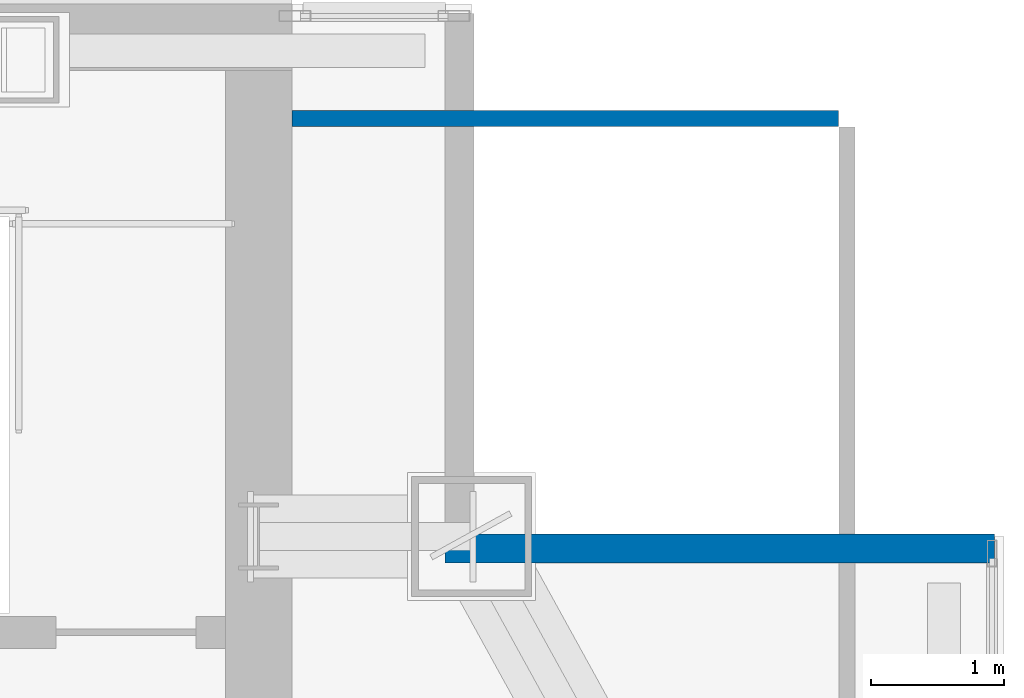
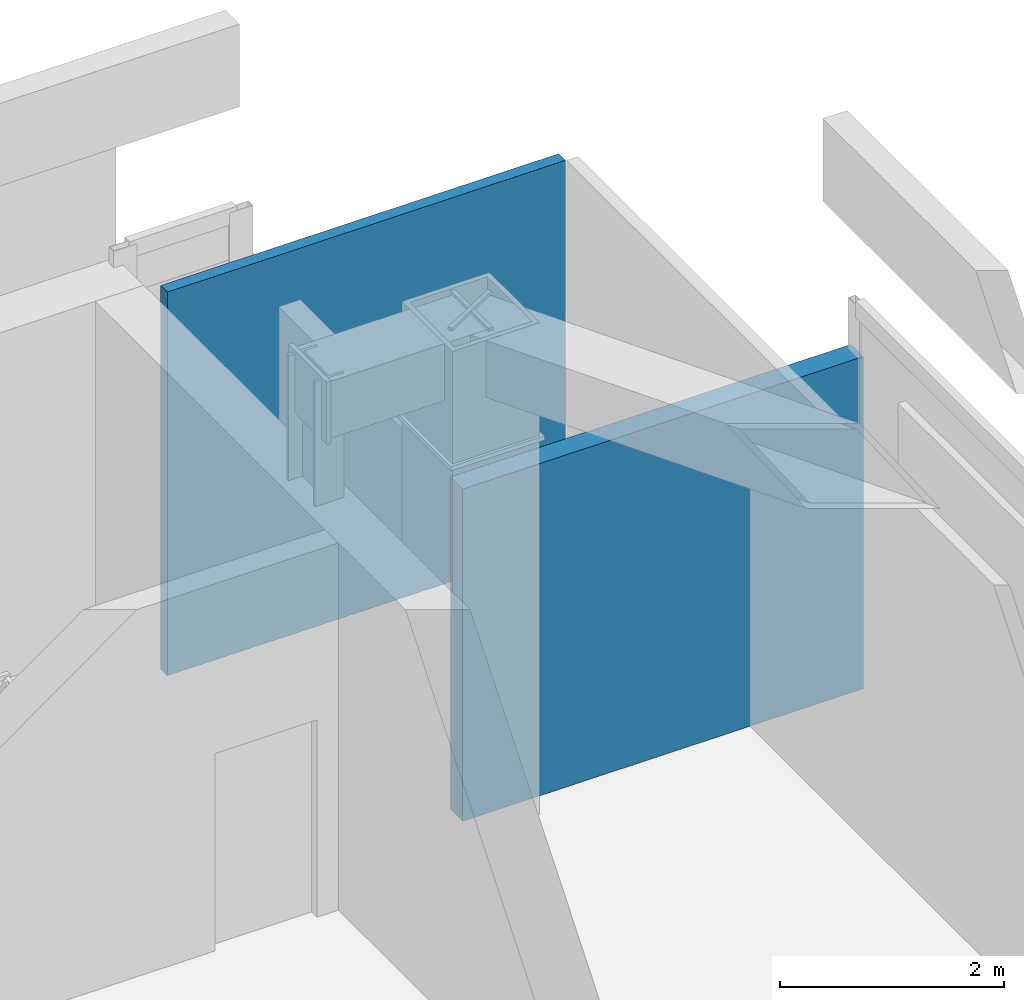
# One storey, part 23 of 24: 2 walls.
"""IFC4 building model written with IfcOpenShell, lengths in metres."""

from ifc_helpers import new_model, si_unit, direction, frame, frame_2d, origin, place, context, subcontext, project, spatial, rectangle, extrude, material, layer, layer_set, type_object, element, save


model = new_model("IFC4")

# Units and contexts
model_context = context("Model", 3, precision=1e-05, world=origin(), true_north=direction((0.0, 1.0)))
body_context = subcontext(model_context, "Body", "Model", "MODEL_VIEW")
ifc_project = project(units=[si_unit("LENGTHUNIT", "METRE"), si_unit("AREAUNIT", "SQUARE_METRE"), si_unit("VOLUMEUNIT", "CUBIC_METRE"), si_unit("PLANEANGLEUNIT", "RADIAN"), si_unit("MASSUNIT", "GRAM", prefix="KILO")], contexts=[model_context])

# Site, building, storey
site_placement = place(None, origin())
site = spatial("IfcSite", under=ifc_project, at=site_placement, CompositionType="ELEMENT")
building_placement = place(site_placement, origin())
building = spatial("IfcBuilding", under=site, at=building_placement, Name="Khoronbel Lancet Exchange", CompositionType="ELEMENT")
storey_placement = place(building_placement, frame((0.0, 0.0, 378.60009765625)))
storey = spatial("IfcBuildingStorey", under=building, at=storey_placement, Name="L96", CompositionType="ELEMENT", Elevation=378.60009765625)

# Walls
ifc_material_1 = material(Name="Precast concrete C40/50", Category="concrete")
ifc_layer_1 = layer(ifc_material_1, 0.25, Name="Precast concrete C40/50")
ifc_layer_set_1 = layer_set([ifc_layer_1], Name="Precast concrete C40/50")
wall_type_1 = type_object("IfcWallType", Name="WL-EXT250", PredefinedType="SOLIDWALL", material=ifc_layer_set_1)
wall_1_placement = place(storey_placement, frame((57.85009765625, 49.610107421875, 0.0), z_axis=(0.0, 0.0, 1.0), x_axis=(1.0, 0.0, 0.0)))
element("IfcWall", 1, at=wall_1_placement, inside=storey, type_object=wall_type_1, Name="Level L96 notched-corner limestone pier 08", PredefinedType="SOLIDWALL", context=body_context, shape_type="SweptSolid", body=[
    extrude(rectangle(XDim=4.1298828125, YDim=0.219970703125, at=frame_2d((2.06494140625, 0.0))), origin(), (0.0, 0.0, 1.0), 3.619873046875),
])
ifc_material_2 = material(Name="Acoustic Metal-Stud & Mineral-Wool Gypsum Partition 120 mm", Category="gypsum")
ifc_layer_2 = layer(ifc_material_2, 0.1201171875, Name="Acoustic Metal-Stud & Mineral-Wool Gypsum Partition 120 mm")
ifc_layer_set_2 = layer_set([ifc_layer_2], Name="Acoustic Metal-Stud & Mineral-Wool Gypsum Partition 120 mm")
wall_type_2 = type_object("IfcWallType", Name="WL-PRT120", PredefinedType="PARTITIONING", material=ifc_layer_set_2)
wall_2_placement = place(storey_placement, frame((56.699951171875, 52.840087890625, 0.0), z_axis=(0.0, 0.0, 1.0), x_axis=(1.0, 0.0, 0.0)))
element("IfcWall", 2, at=wall_2_placement, inside=storey, type_object=wall_type_2, Name="Level L96 interior partition PW-LIN-NE", PredefinedType="PARTITIONING", context=body_context, shape_type="SweptSolid", body=[
    extrude(rectangle(XDim=4.10498046875, YDim=0.1201171875, at=frame_2d((2.052490234375, 0.0))), origin(), (0.0, 0.0, 1.0), 4.179931640625),
])

save(model, "model.ifc")
